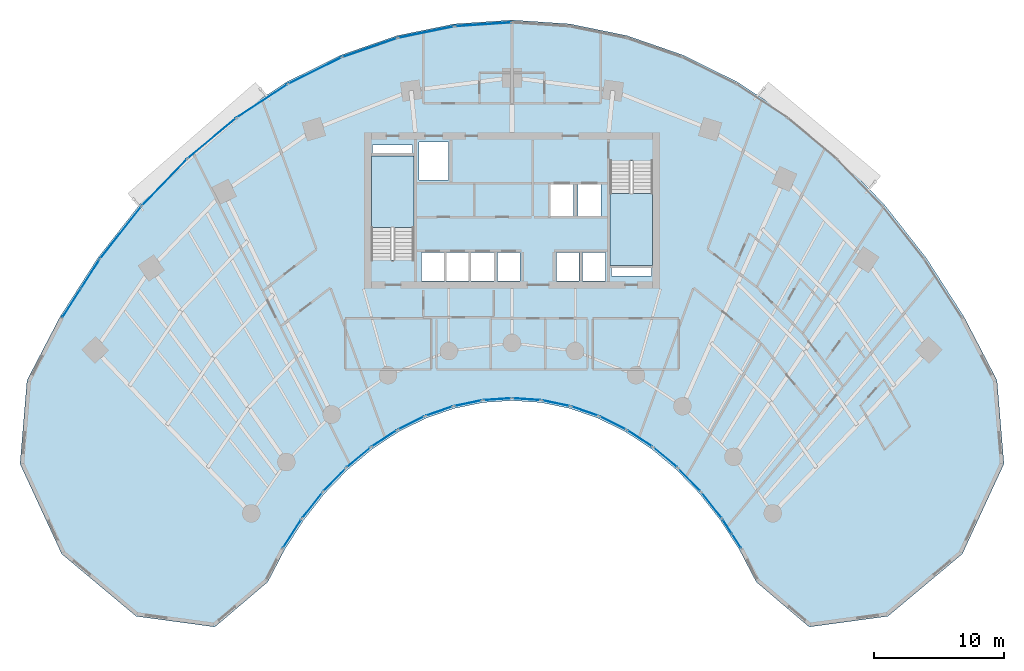
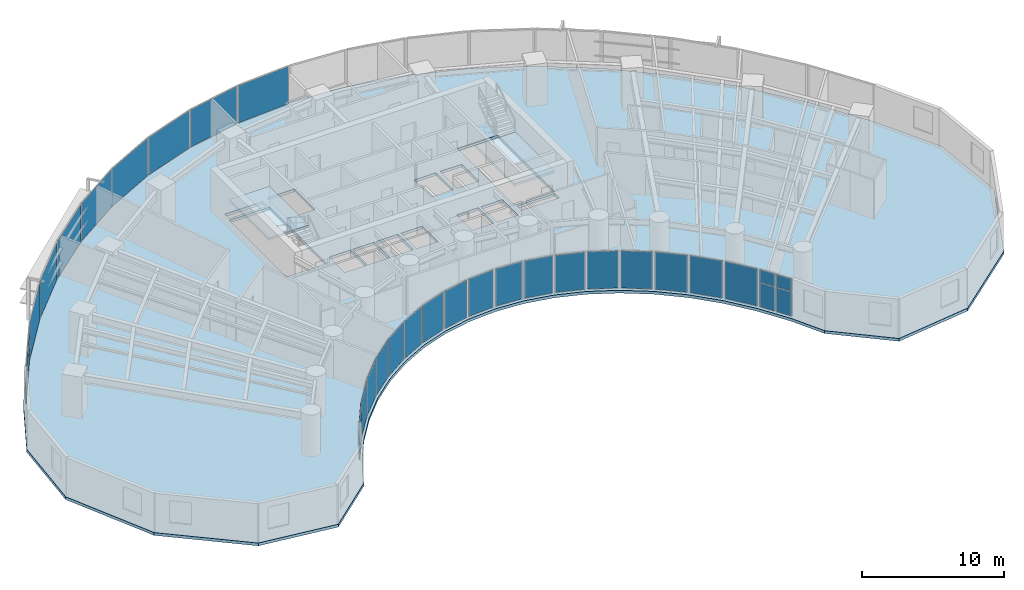
# One storey, part 9 of 17: 33 plates, 3 slabs, 29 elements without a shape of their own.
"""IFC4 building model written with IfcOpenShell, lengths in metres."""

import ifcopenshell
import ifcopenshell.guid

model = None  # the IFC model being written
_history = None  # IfcOwnerHistory: only IFC2X3 demands one
_inside = {}  # id of a spatial element -> (the spatial element, [elements in it])
_under = {}  # id of a project, library or spatial element -> (it, [spatial elements below it])
_declared = {}  # id of a project -> (the project, [libraries it declares])
_typed = {}  # id of a type object -> (the type object, [elements of that type])
_made_of = {}  # id of a material, layer set ... -> (it, [elements and type objects made of it])


def new_model(schema):
    """Start an empty IFC model of exactly this schema.

    Asked for "IFC4X3", IfcOpenShell would pick the latest addendum, in which some entities
    have other attributes; the version numbers below select the first issue.
    IFC2X3 requires an IfcOwnerHistory on every rooted entity: one is made here for all.
    """
    global model, _history
    if schema == "IFC4X3":
        model = ifcopenshell.file(schema_version=(4, 3, 0, 0))
    else:
        model = ifcopenshell.file(schema=schema)
    _inside.clear()
    _under.clear()
    _declared.clear()
    _typed.clear()
    _made_of.clear()
    _history = None
    if model.schema == "IFC2X3":
        org = make("IfcOrganization", Name="unknown")
        user = make(
            "IfcPersonAndOrganization",
            ThePerson=make("IfcPerson", FamilyName="unknown"),
            TheOrganization=org,
        )
        app = make(
            "IfcApplication",
            ApplicationDeveloper=org,
            Version="unknown",
            ApplicationFullName="unknown",
            ApplicationIdentifier="unknown",
        )
        _history = make(
            "IfcOwnerHistory",
            OwningUser=user,
            OwningApplication=app,
            ChangeAction="ADDED",
            CreationDate=0,
        )
    return model


def make(cls, **values):
    """One entity of the class cls with the attributes given. An attribute that is None is left unset."""
    return model.create_entity(
        cls, **{name: value for name, value in values.items() if value is not None}
    )


def rooted(cls, **values):
    """An entity with a GlobalId (a new one), such as an element, a storey or a relation."""
    return make(cls, GlobalId=ifcopenshell.guid.new(), OwnerHistory=_history, **values)


def si_unit(unit_type, name, prefix=None):
    """IfcSIUnit, for example si_unit("LENGTHUNIT", "METRE", prefix="MILLI")."""
    return make("IfcSIUnit", UnitType=unit_type, Prefix=prefix, Name=name)


def assignment(units):
    """IfcUnitAssignment: the units of a project."""
    return None if units is None else make("IfcUnitAssignment", Units=units)


def point(xyz):
    """IfcCartesianPoint."""
    return None if xyz is None else make("IfcCartesianPoint", Coordinates=xyz)


def direction(xyz):
    """IfcDirection."""
    return None if xyz is None else make("IfcDirection", DirectionRatios=xyz)


def frame(location, z_axis=None, x_axis=None):
    """IfcAxis2Placement3D, a coordinate frame: its origin and axes. An axis left out is left unset."""
    return make(
        "IfcAxis2Placement3D",
        Location=point(location),
        Axis=direction(z_axis),
        RefDirection=direction(x_axis),
    )


def frame_2d(location, x_axis=None):
    """IfcAxis2Placement2D, a coordinate frame in the plane: its origin and x axis."""
    return make(
        "IfcAxis2Placement2D", Location=point(location), RefDirection=direction(x_axis)
    )


def origin():
    """The frame at (0, 0, 0) with its axes left unset."""
    return frame((0.0, 0.0, 0.0))


def origin_2d():
    """The frame at (0, 0) in the plane with its x axis left unset."""
    return frame_2d((0.0, 0.0))


def place(relative_to, where):
    """IfcLocalPlacement: puts the frame where relative to a parent placement (None: the world)."""
    return make(
        "IfcLocalPlacement", PlacementRelTo=relative_to, RelativePlacement=where
    )


def context(
    kind, dimensions, precision=None, world=None, true_north=None, identifier=None
):
    """IfcGeometricRepresentationContext, for example the 3D "Model" context."""
    return make(
        "IfcGeometricRepresentationContext",
        ContextIdentifier=identifier,
        ContextType=kind,
        CoordinateSpaceDimension=dimensions,
        Precision=precision,
        WorldCoordinateSystem=world,
        TrueNorth=true_north,
    )


def subcontext(parent, identifier, kind, view, scale=None):
    """IfcGeometricRepresentationSubContext, for example "Body" below "Model"."""
    return make(
        "IfcGeometricRepresentationSubContext",
        ContextIdentifier=identifier,
        ContextType=kind,
        ParentContext=parent,
        TargetScale=scale,
        TargetView=view,
    )


def project(units=None, contexts=None):
    """IfcProject with its units and contexts."""
    return rooted(
        "IfcProject",
        Name="project",
        RepresentationContexts=contexts,
        UnitsInContext=assignment(units),
    )


def spatial(cls, under=None, at=None, **own):
    """A site, building, storey or space (cls), placed at a placement, below another one or the project."""
    s = rooted(cls, ObjectPlacement=at, **own)
    if under is not None:
        _under.setdefault(under.id(), (under, []))[1].append(s)
    return s


def polyline(points):
    """IfcPolyline through the points."""
    return make("IfcPolyline", Points=[point(p) for p in points])


def profile(cls, at=None, kind="AREA", **sizes):
    """A parametric profile (cls). Its sizes go by their IFC names, for example OverallWidth=200.0."""
    return make(cls, ProfileType=kind, Position=at, **sizes)


def rectangle(**sizes):
    """IfcRectangleProfileDef."""
    return profile("IfcRectangleProfileDef", **sizes)


def outline(outer, holes=None, kind="AREA"):
    """IfcArbitraryClosedProfileDef: a profile drawn as a closed curve; with holes, ...WithVoids."""
    if holes is None:
        return make("IfcArbitraryClosedProfileDef", ProfileType=kind, OuterCurve=outer)
    return make(
        "IfcArbitraryProfileDefWithVoids",
        ProfileType=kind,
        OuterCurve=outer,
        InnerCurves=holes,
    )


def extrude(swept, where, along, depth):
    """IfcExtrudedAreaSolid: the profile swept, set in the frame where, extruded along a direction by depth."""
    return make(
        "IfcExtrudedAreaSolid",
        SweptArea=swept,
        Position=where,
        ExtrudedDirection=direction(along),
        Depth=depth,
    )


def shape(context_of_items, identifier, shape_type, items):
    """IfcShapeRepresentation: the items that make up one representation, for example the "Body"."""
    return make(
        "IfcShapeRepresentation",
        ContextOfItems=context_of_items,
        RepresentationIdentifier=identifier,
        RepresentationType=shape_type,
        Items=items,
    )


def source(mapping_origin, context_of_items, identifier, shape_type, items):
    """IfcRepresentationMap: a shape defined once, which mapped items show again and again."""
    return make(
        "IfcRepresentationMap",
        MappingOrigin=mapping_origin,
        MappedRepresentation=shape(context_of_items, identifier, shape_type, items),
    )


def transform(
    local_origin,
    x_axis=None,
    y_axis=None,
    z_axis=None,
    scale=None,
    scale2=None,
    scale3=None,
    uniform=True,
):
    """IfcCartesianTransformationOperator3D, or its non-uniform kind. x_axis, y_axis, z_axis: its Axis1, 2, 3."""
    if uniform:
        return make(
            "IfcCartesianTransformationOperator3D",
            Axis1=direction(x_axis),
            Axis2=direction(y_axis),
            LocalOrigin=point(local_origin),
            Scale=scale,
            Axis3=direction(z_axis),
        )
    return make(
        "IfcCartesianTransformationOperator3DnonUniform",
        Axis1=direction(x_axis),
        Axis2=direction(y_axis),
        LocalOrigin=point(local_origin),
        Scale=scale,
        Axis3=direction(z_axis),
        Scale2=scale2,
        Scale3=scale3,
    )


def mapped(mapping_source, mapping_target):
    """IfcMappedItem: shows the shape of a source again, moved by a transform."""
    return make(
        "IfcMappedItem", MappingSource=mapping_source, MappingTarget=mapping_target
    )


def material(Name=None, Category=None):
    """IfcMaterial."""
    return make("IfcMaterial", Name=Name, Category=Category)


def layer(
    of_material, thickness, ventilated=None, Name=None, Category=None, Priority=None
):
    """IfcMaterialLayer: one layer of a wall or slab, of a material (None: an air gap)."""
    return make(
        "IfcMaterialLayer",
        Material=of_material,
        LayerThickness=thickness,
        IsVentilated=ventilated,
        Name=Name,
        Category=Category,
        Priority=Priority,
    )


def layer_set(layers, Name=None):
    """IfcMaterialLayerSet."""
    return make("IfcMaterialLayerSet", MaterialLayers=layers, LayerSetName=Name)


def made_of(thing, what):
    """Note that an element or type object is made of a material, layer set ...; save() writes the relation."""
    if what is not None:
        _made_of.setdefault(what.id(), (what, []))[1].append(thing)
    return thing


def type_object(cls, material=None, **own):
    """A type object (cls), such as IfcWallType, which elements share."""
    return made_of(rooted(cls, **own), material)


def type_shapes(of_type, sources):
    """Give a type object the sources (RepresentationMaps) that its elements show as mapped items."""
    of_type.RepresentationMaps = sources


def element(
    cls,
    number,
    at=None,
    inside=None,
    cuts=None,
    type_object=None,
    material=None,
    context=None,
    identifier="Body",
    shape_type=None,
    held_by="IfcProductDefinitionShape",
    body=None,
    shapes=None,
    **own,
):
    """One element of the class cls, such as IfcWall. Its Tag is "e" and its number.

    at: its placement. inside: the storey or other place that contains it. cuts: it is an
    opening in that element (IfcRelVoidsElement). A single representation is given by context,
    identifier, shape_type and body (its items); several are given by shapes. held_by: the class
    of the entity that holds the representations. save() writes the other relations.
    """
    e = rooted(cls, Tag="e%d" % number, ObjectPlacement=at, **own)
    if body is not None:
        shapes = [shape(context, identifier, shape_type, body)]
    if shapes is not None:
        e.Representation = make(held_by, Representations=shapes)
    if inside is not None:
        _inside.setdefault(inside.id(), (inside, []))[1].append(e)
    if cuts is not None:
        rooted(
            "IfcRelVoidsElement", RelatingBuildingElement=cuts, RelatedOpeningElement=e
        )
    if type_object is not None:
        _typed.setdefault(type_object.id(), (type_object, []))[1].append(e)
    return made_of(e, material)


def aggregate(whole, parts):
    """IfcRelAggregates: a whole, such as a stair, and the parts it consists of."""
    return rooted("IfcRelAggregates", RelatingObject=whole, RelatedObjects=parts)


def save(model, path):
    """Write the relations noted so far, then the file.

    IfcRelAggregates (storeys below a building ...), IfcRelContainedInSpatialStructure (elements
    in a storey), IfcRelDefinesByType, IfcRelAssociatesMaterial and IfcRelDeclares: one each for
    every whole, place, type object, material and project.
    """
    for whole, parts in _under.values():
        aggregate(whole, parts)
    for where, things in _inside.values():
        rooted(
            "IfcRelContainedInSpatialStructure",
            RelatedElements=things,
            RelatingStructure=where,
        )
    for kind, things in _typed.values():
        rooted("IfcRelDefinesByType", RelatedObjects=things, RelatingType=kind)
    for what, things in _made_of.values():
        rooted("IfcRelAssociatesMaterial", RelatedObjects=things, RelatingMaterial=what)
    for by, libraries in _declared.values():
        rooted("IfcRelDeclares", RelatingContext=by, RelatedDefinitions=libraries)
    model.write(path)


model = new_model("IFC4")

# Units and contexts
model_context = context("Model", 3, precision=1e-05, world=origin(), true_north=direction((0.0, 1.0)))
body_context = subcontext(model_context, "Body", "Model", "MODEL_VIEW")
ifc_project = project(units=[si_unit("LENGTHUNIT", "METRE"), si_unit("AREAUNIT", "SQUARE_METRE"), si_unit("VOLUMEUNIT", "CUBIC_METRE"), si_unit("PLANEANGLEUNIT", "RADIAN"), si_unit("MASSUNIT", "GRAM", prefix="KILO")], contexts=[model_context])

# Site, building, storey
site_placement = place(None, origin())
site = spatial("IfcSite", under=ifc_project, at=site_placement, CompositionType="ELEMENT")
building_placement = place(site_placement, origin())
building = spatial("IfcBuilding", under=site, at=building_placement, Name="Breltana Convention Tower", CompositionType="ELEMENT")
storey_placement = place(building_placement, frame((0.0, 0.0, 60.60009765625)))
storey = spatial("IfcBuildingStorey", under=building, at=storey_placement, Name="L13", CompositionType="ELEMENT", Elevation=60.60009765625)

# Slab
ifc_material_1 = material(Name="Concrete C40/50", Category="concrete")
ifc_layer_1 = layer(ifc_material_1, 0.239990234375, Name="Concrete C40/50")
ifc_layer_set_1 = layer_set([ifc_layer_1], Name="Concrete C40/50")
slab_type_1 = type_object("IfcSlabType", Name="SL-HTL-240", PredefinedType="FLOOR", material=ifc_layer_set_1)
slab_1_placement = place(storey_placement, frame((0.0, 0.0, -0.239990234375)))
element("IfcSlab", 1, at=slab_1_placement, inside=storey, type_object=slab_type_1, Name="L13 Suspended Structural Floor Slab", PredefinedType="FLOOR", context=body_context, shape_type="SweptSolid", body=[
    extrude(outline(polyline([(85.229248046875, 53.173095703125), (82.687744140625, 58.054931640625), (79.791015625, 62.567626953125), (76.569091796875, 66.664794921875), (73.05419921875, 70.304931640625), (69.283203125, 73.450439453125), (65.2939453125, 76.069091796875), (61.1279296875, 78.134033203125), (56.827392578125, 79.62451171875), (52.436279296875, 80.52490234375), (48.0, 80.825927734375), (43.563720703125, 80.52490234375), (39.172607421875, 79.62451171875), (34.8720703125, 78.134033203125), (30.7060546875, 76.069091796875), (26.716796875, 73.450439453125), (22.94580078125, 70.304931640625), (19.430908203125, 66.664794921875), (16.208984375, 62.567626953125), (13.312255859375, 58.054931640625), (10.770751953125, 53.173095703125), (10.234619140625, 46.75927734375), (13.433837890625, 39.8388671875), (19.14697265625, 35.055419921875), (25.191162109375, 34.235595703125), (29.258056640625, 37.693115234375), (30.53759765625, 40.150634765625), (31.995849609375, 42.42236328125), (33.617919921875, 44.485107421875), (35.38720703125, 46.3173828125), (37.28564453125, 47.90087890625), (39.2939453125, 49.21923828125), (41.39111328125, 50.2587890625), (43.55615234375, 51.009033203125), (45.7666015625, 51.46240234375), (48.0, 51.614013671875), (50.2333984375, 51.46240234375), (52.44384765625, 51.009033203125), (54.60888671875, 50.2587890625), (56.7060546875, 49.21923828125), (58.71435546875, 47.90087890625), (60.61279296875, 46.3173828125), (62.382080078125, 44.485107421875), (64.004150390625, 42.42236328125), (65.46240234375, 40.150634765625), (66.741943359375, 37.693115234375), (70.808837890625, 34.235595703125), (76.85302734375, 35.055419921875), (82.566162109375, 39.8388671875), (85.765380859375, 46.75927734375), (85.229248046875, 53.173095703125)]), holes=[polyline([(37.199951171875, 62.385009765625), (40.469970703125, 62.385009765625), (40.469970703125, 70.39990234375), (37.199951171875, 70.39990234375), (37.199951171875, 62.385009765625)]), polyline([(55.530029296875, 62.0), (58.800048828125, 62.0), (58.800048828125, 70.014892578125), (55.530029296875, 70.014892578125), (55.530029296875, 62.0)]), polyline([(41.0400390625, 60.800048828125), (42.800048828125, 60.800048828125), (42.800048828125, 62.97998046875), (41.0400390625, 62.97998046875), (41.0400390625, 60.800048828125)]), polyline([(42.93994140625, 60.800048828125), (44.699951171875, 60.800048828125), (44.699951171875, 62.97998046875), (42.93994140625, 62.97998046875), (42.93994140625, 60.800048828125)]), polyline([(44.8701171875, 60.800048828125), (46.6298828125, 60.800048828125), (46.6298828125, 62.97998046875), (44.8701171875, 62.97998046875), (44.8701171875, 60.800048828125)]), polyline([(46.8701171875, 60.800048828125), (48.6298828125, 60.800048828125), (48.6298828125, 62.97998046875), (46.8701171875, 62.97998046875), (46.8701171875, 60.800048828125)]), polyline([(51.39990234375, 60.800048828125), (53.159912109375, 60.800048828125), (53.159912109375, 62.97998046875), (51.39990234375, 62.97998046875), (51.39990234375, 60.800048828125)]), polyline([(53.39990234375, 60.800048828125), (55.159912109375, 60.800048828125), (55.159912109375, 62.97998046875), (53.39990234375, 62.97998046875), (53.39990234375, 60.800048828125)]), polyline([(50.969970703125, 65.800048828125), (52.72998046875, 65.800048828125), (52.72998046875, 68.179931640625), (50.969970703125, 68.179931640625), (50.969970703125, 65.800048828125)]), polyline([(53.070068359375, 65.800048828125), (54.830078125, 65.800048828125), (54.830078125, 68.179931640625), (53.070068359375, 68.179931640625), (53.070068359375, 65.800048828125)]), polyline([(40.8798828125, 68.550048828125), (43.1201171875, 68.550048828125), (43.1201171875, 71.449951171875), (40.8798828125, 71.449951171875), (40.8798828125, 68.550048828125)]), polyline([(37.300048828125, 70.60009765625), (40.3798828125, 70.60009765625), (40.3798828125, 71.219970703125), (37.300048828125, 71.219970703125), (37.300048828125, 70.60009765625)]), polyline([(55.6201171875, 61.179931640625), (58.699951171875, 61.179931640625), (58.699951171875, 61.800048828125), (55.6201171875, 61.800048828125), (55.6201171875, 61.179931640625)])]), origin(), (0.0, 0.0, 1.0), 0.239990234375),
])

# Stair, slab
stair_type = type_object("IfcStairType", Name="ST-DOG-1560-R180", PredefinedType="HALF_TURN_STAIR", material=ifc_material_1)
stair_1_placement = place(storey_placement, origin())
stair_1 = element("IfcStair", 2, at=stair_1_placement, inside=storey, type_object=stair_type, Name="L13 Protected Core Exit Stair ST-1", PredefinedType="HALF_TURN_STAIR")
ifc_layer_2 = layer(ifc_material_1, 0.199951171875, Name="Concrete C40/50")
ifc_layer_set_2 = layer_set([ifc_layer_2], Name="Concrete C40/50")
slab_type_2 = type_object("IfcSlabType", Name="SL-STAIR-LANDING-200", PredefinedType="LANDING", material=ifc_layer_set_2)
slab_2_placement = place(storey_placement, frame((0.0, 0.0, 1.599853515625)))
slab_2 = element("IfcSlab", 3, at=slab_2_placement, type_object=slab_type_2, Name="ST-1 landing 1", PredefinedType="LANDING", context=body_context, shape_type="SweptSolid", body=[
    extrude(outline(polyline([(40.469970703125, 64.8798828125), (40.469970703125, 70.39990234375), (37.199951171875, 70.39990234375), (37.199951171875, 64.8798828125), (40.469970703125, 64.8798828125)])), origin(), (0.0, 0.0, 1.0), 0.199951171875),
])
aggregate(stair_1, [slab_2])

stair_2_placement = place(storey_placement, origin())
stair_2 = element("IfcStair", 4, at=stair_2_placement, inside=storey, type_object=stair_type, Name="L13 Protected Core Exit Stair ST-2", PredefinedType="HALF_TURN_STAIR")
slab_3_placement = place(storey_placement, frame((0.0, 0.0, 1.599853515625)))
slab_3 = element("IfcSlab", 5, at=slab_3_placement, type_object=slab_type_2, Name="ST-2 landing 1", PredefinedType="LANDING", context=body_context, shape_type="SweptSolid", body=[
    extrude(outline(polyline([(55.530029296875, 67.52001953125), (55.530029296875, 62.0), (58.800048828125, 62.0), (58.800048828125, 67.52001953125), (55.530029296875, 67.52001953125)])), origin(), (0.0, 0.0, 1.0), 0.199951171875),
])
aggregate(stair_2, [slab_3])

# Curtain wall, plates
ifc_material_2 = material(Name="Aluminium Anodised Bronze Frame", Category="aluminium")
ifc_layer_3 = layer(ifc_material_2, 0.18994140625, Name="Aluminium Anodised Bronze Frame")
ifc_layer_set_3 = layer_set([ifc_layer_3], Name="Aluminium Anodised Bronze Frame")
curtain_wall_type_1 = type_object("IfcCurtainWallType", Name="CW-SYS-1", PredefinedType="NOTDEFINED", material=ifc_layer_set_3)
curtain_wall_1_placement = place(storey_placement, origin())
curtain_wall_1 = element("IfcCurtainWall", 6, at=curtain_wall_1_placement, inside=storey, type_object=curtain_wall_type_1, Name="L13 inner south-court glazing 1", PredefinedType="NOTDEFINED")
ifc_material_3 = material(Name="Glass Low-E Double Glazing", Category="glass")
ifc_layer_4 = layer(ifc_material_3, 0.028076171875, Name="Glass Low-E Double Glazing")
ifc_layer_set_4 = layer_set([ifc_layer_4], Name="Glass Low-E Double Glazing")
plate_type_1 = type_object("IfcPlateType", Name="CWP-IGU-28", PredefinedType="CURTAIN_PANEL", material=ifc_layer_set_4)
shared_shape_1 = source(origin(), body_context, "Body", "SweptSolid", [
    extrude(rectangle(XDim=1.229736328125, YDim=0.028076171875, at=origin_2d()), origin(), (0.0, 0.0, 1.0), 2.06396484375),
])
plate_1_placement = place(storey_placement, frame((65.238525390625, 40.83251953125, 0.079833984375), z_axis=(0.0, 0.0, 1.0), x_axis=(-0.540169576197, 0.841556194767, 0.0)))
plate_1 = element("IfcPlate", 7, at=plate_1_placement, type_object=plate_type_1, Name="CW-01 panel 1.1", PredefinedType="CURTAIN_PANEL", context=body_context, shape_type="MappedRepresentation", body=[
    mapped(shared_shape_1, transform((0.0, 0.0, 0.0), scale=1.0)),
])
plate_2_placement = place(storey_placement, frame((64.531005859375, 41.934814453125, 0.079833984375), z_axis=(0.0, 0.0, 1.0), x_axis=(-0.540169576197, 0.841556194767, 0.0)))
plate_2 = element("IfcPlate", 8, at=plate_2_placement, type_object=plate_type_1, Name="CW-01 panel 2.1", PredefinedType="CURTAIN_PANEL", context=body_context, shape_type="MappedRepresentation", body=[
    mapped(shared_shape_1, transform((0.0, 0.0, 0.0), scale=1.0)),
])
shared_shape_2 = source(origin(), body_context, "Body", "SweptSolid", [
    extrude(rectangle(XDim=1.229736328125, YDim=0.028076171875, at=origin_2d()), origin(), (0.0, 0.0, 1.0), 1.055908203125),
])
plate_3_placement = place(storey_placement, frame((65.238525390625, 40.83251953125, 2.22412109375), z_axis=(0.0, 0.0, 1.0), x_axis=(-0.540169576197, 0.841556194767, 0.0)))
plate_3 = element("IfcPlate", 9, at=plate_3_placement, type_object=plate_type_1, Name="CW-01 panel 1.2", PredefinedType="CURTAIN_PANEL", context=body_context, shape_type="MappedRepresentation", body=[
    mapped(shared_shape_2, transform((0.0, 0.0, 0.0), scale=1.0)),
])
plate_4_placement = place(storey_placement, frame((64.531005859375, 41.934814453125, 2.22412109375), z_axis=(0.0, 0.0, 1.0), x_axis=(-0.540169576197, 0.841556194767, 0.0)))
plate_4 = element("IfcPlate", 10, at=plate_4_placement, type_object=plate_type_1, Name="CW-01 panel 2.2", PredefinedType="CURTAIN_PANEL", context=body_context, shape_type="MappedRepresentation", body=[
    mapped(shared_shape_2, transform((0.0, 0.0, 0.0), scale=1.0)),
])
aggregate(curtain_wall_1, [plate_1, plate_3, plate_2, plate_4])

# Curtain wall, plate
curtain_wall_2_placement = place(storey_placement, origin())
curtain_wall_2 = element("IfcCurtainWall", 11, at=curtain_wall_2_placement, inside=storey, type_object=curtain_wall_type_1, Name="L13 inner south-court glazing 2", PredefinedType="NOTDEFINED")
shared_shape_3 = source(origin(), body_context, "Body", "SweptSolid", [
    extrude(rectangle(XDim=2.464111328125, YDim=0.028076171875, at=origin_2d()), origin(), (0.0, 0.0, 1.0), 3.199951171875),
])
plate_5_placement = place(storey_placement, frame((63.334716796875, 43.56494140625, 0.080078125), z_axis=(0.0, 0.0, 1.0), x_axis=(-0.61815305034, 0.786057762734, 0.0)))
plate_5 = element("IfcPlate", 12, at=plate_5_placement, type_object=plate_type_1, Name="CW-01 panel 1.1", PredefinedType="CURTAIN_PANEL", context=body_context, shape_type="MappedRepresentation", body=[
    mapped(shared_shape_3, transform((0.0, 0.0, 0.0), scale=1.0)),
])
aggregate(curtain_wall_2, [plate_5])

curtain_wall_3_placement = place(storey_placement, origin())
curtain_wall_3 = element("IfcCurtainWall", 13, at=curtain_wall_3_placement, inside=storey, type_object=curtain_wall_type_1, Name="L13 inner south-court glazing 17", PredefinedType="NOTDEFINED")
plate_6_placement = place(storey_placement, frame((32.665283203125, 43.56494140625, 0.080078125), z_axis=(0.0, 0.0, 1.0), x_axis=(-0.61815305034, -0.786057762734, 0.0)))
plate_6 = element("IfcPlate", 14, at=plate_6_placement, type_object=plate_type_1, Name="CW-01 panel 1.1", PredefinedType="CURTAIN_PANEL", context=body_context, shape_type="MappedRepresentation", body=[
    mapped(shared_shape_3, transform((0.0, 0.0, 0.0), scale=1.0)),
])
aggregate(curtain_wall_3, [plate_6])

curtain_wall_4_placement = place(storey_placement, origin())
curtain_wall_4 = element("IfcCurtainWall", 15, at=curtain_wall_4_placement, inside=storey, type_object=curtain_wall_type_1, Name="L13 inner south-court glazing 3", PredefinedType="NOTDEFINED")
shared_shape_4 = source(origin(), body_context, "Body", "SweptSolid", [
    extrude(rectangle(XDim=2.38720703125, YDim=0.028076171875, at=origin_2d()), origin(), (0.0, 0.0, 1.0), 3.199951171875),
])
plate_7_placement = place(storey_placement, frame((61.626953125, 45.5263671875, 0.080078125), z_axis=(0.0, 0.0, 1.0), x_axis=(-0.694612029111, 0.719384548773, 0.0)))
plate_7 = element("IfcPlate", 16, at=plate_7_placement, type_object=plate_type_1, Name="CW-01 panel 1.1", PredefinedType="CURTAIN_PANEL", context=body_context, shape_type="MappedRepresentation", body=[
    mapped(shared_shape_4, transform((0.0, 0.0, 0.0), scale=1.0)),
])
aggregate(curtain_wall_4, [plate_7])

curtain_wall_5_placement = place(storey_placement, origin())
curtain_wall_5 = element("IfcCurtainWall", 17, at=curtain_wall_5_placement, inside=storey, type_object=curtain_wall_type_1, Name="L13 inner south-court glazing 16", PredefinedType="NOTDEFINED")
plate_8_placement = place(storey_placement, frame((34.373046875, 45.5263671875, 0.080078125), z_axis=(0.0, 0.0, 1.0), x_axis=(-0.694612029111, -0.719384548773, 0.0)))
plate_8 = element("IfcPlate", 18, at=plate_8_placement, type_object=plate_type_1, Name="CW-01 panel 1.1", PredefinedType="CURTAIN_PANEL", context=body_context, shape_type="MappedRepresentation", body=[
    mapped(shared_shape_4, transform((0.0, 0.0, 0.0), scale=1.0)),
])
aggregate(curtain_wall_5, [plate_8])

curtain_wall_6_placement = place(storey_placement, origin())
curtain_wall_6 = element("IfcCurtainWall", 19, at=curtain_wall_6_placement, inside=storey, type_object=curtain_wall_type_1, Name="L13 inner south-court glazing 4", PredefinedType="NOTDEFINED")
shared_shape_5 = source(origin(), body_context, "Body", "SweptSolid", [
    extrude(rectangle(XDim=2.312255859375, YDim=0.028076171875, at=origin_2d()), origin(), (0.0, 0.0, 1.0), 3.199951171875),
])
plate_9_placement = place(storey_placement, frame((59.77880859375, 47.24755859375, 0.080078125), z_axis=(0.0, 0.0, 1.0), x_axis=(-0.767939382804, 0.640522524458, 0.0)))
plate_9 = element("IfcPlate", 20, at=plate_9_placement, type_object=plate_type_1, Name="CW-01 panel 1.1", PredefinedType="CURTAIN_PANEL", context=body_context, shape_type="MappedRepresentation", body=[
    mapped(shared_shape_5, transform((0.0, 0.0, 0.0), scale=1.0)),
])
aggregate(curtain_wall_6, [plate_9])

curtain_wall_7_placement = place(storey_placement, origin())
curtain_wall_7 = element("IfcCurtainWall", 21, at=curtain_wall_7_placement, inside=storey, type_object=curtain_wall_type_1, Name="L13 inner south-court glazing 15", PredefinedType="NOTDEFINED")
plate_10_placement = place(storey_placement, frame((36.22119140625, 47.24755859375, 0.080078125), z_axis=(0.0, 0.0, 1.0), x_axis=(-0.767939382804, -0.640522524458, 0.0)))
plate_10 = element("IfcPlate", 22, at=plate_10_placement, type_object=plate_type_1, Name="CW-01 panel 1.1", PredefinedType="CURTAIN_PANEL", context=body_context, shape_type="MappedRepresentation", body=[
    mapped(shared_shape_5, transform((0.0, 0.0, 0.0), scale=1.0)),
])
aggregate(curtain_wall_7, [plate_10])

curtain_wall_8_placement = place(storey_placement, origin())
curtain_wall_8 = element("IfcCurtainWall", 23, at=curtain_wall_8_placement, inside=storey, type_object=curtain_wall_type_1, Name="L13 inner south-court glazing 5", PredefinedType="NOTDEFINED")
shared_shape_6 = source(origin(), body_context, "Body", "SweptSolid", [
    extrude(rectangle(XDim=2.2421875, YDim=0.028076171875, at=origin_2d()), origin(), (0.0, 0.0, 1.0), 3.199951171875),
])
plate_11_placement = place(storey_placement, frame((57.80908203125, 48.710693359375, 0.080078125), z_axis=(0.0, 0.0, 1.0), x_axis=(-0.835967942634, 0.548778278441, 0.0)))
plate_11 = element("IfcPlate", 24, at=plate_11_placement, type_object=plate_type_1, Name="CW-01 panel 1.1", PredefinedType="CURTAIN_PANEL", context=body_context, shape_type="MappedRepresentation", body=[
    mapped(shared_shape_6, transform((0.0, 0.0, 0.0), scale=1.0)),
])
aggregate(curtain_wall_8, [plate_11])

curtain_wall_9_placement = place(storey_placement, origin())
curtain_wall_9 = element("IfcCurtainWall", 25, at=curtain_wall_9_placement, inside=storey, type_object=curtain_wall_type_1, Name="L13 inner south-court glazing 14", PredefinedType="NOTDEFINED")
plate_12_placement = place(storey_placement, frame((38.19091796875, 48.710693359375, 0.080078125), z_axis=(0.0, 0.0, 1.0), x_axis=(-0.835967942634, -0.548778278441, 0.0)))
plate_12 = element("IfcPlate", 26, at=plate_12_placement, type_object=plate_type_1, Name="CW-01 panel 1.1", PredefinedType="CURTAIN_PANEL", context=body_context, shape_type="MappedRepresentation", body=[
    mapped(shared_shape_6, transform((0.0, 0.0, 0.0), scale=1.0)),
])
aggregate(curtain_wall_9, [plate_12])

curtain_wall_10_placement = place(storey_placement, origin())
curtain_wall_10 = element("IfcCurtainWall", 27, at=curtain_wall_10_placement, inside=storey, type_object=curtain_wall_type_1, Name="L13 inner south-court glazing 6", PredefinedType="NOTDEFINED")
shared_shape_7 = source(origin(), body_context, "Body", "SweptSolid", [
    extrude(rectangle(XDim=2.180908203125, YDim=0.028076171875, at=origin_2d()), origin(), (0.0, 0.0, 1.0), 3.199951171875),
])
plate_13_placement = place(storey_placement, frame((55.7373046875, 49.900390625, 0.080078125), z_axis=(0.0, 0.0, 1.0), x_axis=(-0.895968310315, 0.444117987602, 0.0)))
plate_13 = element("IfcPlate", 28, at=plate_13_placement, type_object=plate_type_1, Name="CW-01 panel 1.1", PredefinedType="CURTAIN_PANEL", context=body_context, shape_type="MappedRepresentation", body=[
    mapped(shared_shape_7, transform((0.0, 0.0, 0.0), scale=1.0)),
])
aggregate(curtain_wall_10, [plate_13])

curtain_wall_11_placement = place(storey_placement, origin())
curtain_wall_11 = element("IfcCurtainWall", 29, at=curtain_wall_11_placement, inside=storey, type_object=curtain_wall_type_1, Name="L13 inner south-court glazing 13", PredefinedType="NOTDEFINED")
plate_14_placement = place(storey_placement, frame((40.2626953125, 49.900390625, 0.080078125), z_axis=(0.0, 0.0, 1.0), x_axis=(-0.895968310315, -0.444117987602, 0.0)))
plate_14 = element("IfcPlate", 30, at=plate_14_placement, type_object=plate_type_1, Name="CW-01 panel 1.1", PredefinedType="CURTAIN_PANEL", context=body_context, shape_type="MappedRepresentation", body=[
    mapped(shared_shape_7, transform((0.0, 0.0, 0.0), scale=1.0)),
])
aggregate(curtain_wall_11, [plate_14])

curtain_wall_12_placement = place(storey_placement, origin())
curtain_wall_12 = element("IfcCurtainWall", 31, at=curtain_wall_12_placement, inside=storey, type_object=curtain_wall_type_1, Name="L13 inner south-court glazing 7", PredefinedType="NOTDEFINED")
shared_shape_8 = source(origin(), body_context, "Body", "SweptSolid", [
    extrude(rectangle(XDim=2.13134765625, YDim=0.028076171875, at=origin_2d()), origin(), (0.0, 0.0, 1.0), 3.199951171875),
])
plate_15_placement = place(storey_placement, frame((53.585205078125, 50.80419921875, 0.080078125), z_axis=(0.0, 0.0, 1.0), x_axis=(-0.944881211406, 0.327413341714, 0.0)))
plate_15 = element("IfcPlate", 32, at=plate_15_placement, type_object=plate_type_1, Name="CW-01 panel 1.1", PredefinedType="CURTAIN_PANEL", context=body_context, shape_type="MappedRepresentation", body=[
    mapped(shared_shape_8, transform((0.0, 0.0, 0.0), scale=1.0)),
])
aggregate(curtain_wall_12, [plate_15])

curtain_wall_13_placement = place(storey_placement, origin())
curtain_wall_13 = element("IfcCurtainWall", 33, at=curtain_wall_13_placement, inside=storey, type_object=curtain_wall_type_1, Name="L13 inner south-court glazing 12", PredefinedType="NOTDEFINED")
plate_16_placement = place(storey_placement, frame((42.414794921875, 50.80419921875, 0.080078125), z_axis=(0.0, 0.0, 1.0), x_axis=(-0.944881211406, -0.327413341714, 0.0)))
plate_16 = element("IfcPlate", 34, at=plate_16_placement, type_object=plate_type_1, Name="CW-01 panel 1.1", PredefinedType="CURTAIN_PANEL", context=body_context, shape_type="MappedRepresentation", body=[
    mapped(shared_shape_8, transform((0.0, 0.0, 0.0), scale=1.0)),
])
aggregate(curtain_wall_13, [plate_16])

curtain_wall_14_placement = place(storey_placement, origin())
curtain_wall_14 = element("IfcCurtainWall", 35, at=curtain_wall_14_placement, inside=storey, type_object=curtain_wall_type_1, Name="L13 inner south-court glazing 8", PredefinedType="NOTDEFINED")
shared_shape_9 = source(origin(), body_context, "Body", "SweptSolid", [
    extrude(rectangle(XDim=2.096435546875, YDim=0.028076171875, at=origin_2d()), origin(), (0.0, 0.0, 1.0), 3.199951171875),
])
plate_17_placement = place(storey_placement, frame((51.374755859375, 51.412109375, 0.080078125), z_axis=(0.0, 0.0, 1.0), x_axis=(-0.97961455393, 0.200886350278, 0.0)))
plate_17 = element("IfcPlate", 36, at=plate_17_placement, type_object=plate_type_1, Name="CW-01 panel 1.1", PredefinedType="CURTAIN_PANEL", context=body_context, shape_type="MappedRepresentation", body=[
    mapped(shared_shape_9, transform((0.0, 0.0, 0.0), scale=1.0)),
])
aggregate(curtain_wall_14, [plate_17])

curtain_wall_15_placement = place(storey_placement, origin())
curtain_wall_15 = element("IfcCurtainWall", 37, at=curtain_wall_15_placement, inside=storey, type_object=curtain_wall_type_1, Name="L13 inner south-court glazing 11", PredefinedType="NOTDEFINED")
plate_18_placement = place(storey_placement, frame((44.625244140625, 51.412109375, 0.080078125), z_axis=(0.0, 0.0, 1.0), x_axis=(-0.97961455393, -0.200886350278, 0.0)))
plate_18 = element("IfcPlate", 38, at=plate_18_placement, type_object=plate_type_1, Name="CW-01 panel 1.1", PredefinedType="CURTAIN_PANEL", context=body_context, shape_type="MappedRepresentation", body=[
    mapped(shared_shape_9, transform((0.0, 0.0, 0.0), scale=1.0)),
])
aggregate(curtain_wall_15, [plate_18])

curtain_wall_16_placement = place(storey_placement, origin())
curtain_wall_16 = element("IfcCurtainWall", 39, at=curtain_wall_16_placement, inside=storey, type_object=curtain_wall_type_1, Name="L13 inner south-court glazing 9", PredefinedType="NOTDEFINED")
shared_shape_10 = source(origin(), body_context, "Body", "SweptSolid", [
    extrude(rectangle(XDim=2.078369140625, YDim=0.028076171875, at=origin_2d()), origin(), (0.0, 0.0, 1.0), 3.199951171875),
])
plate_19_placement = place(storey_placement, frame((49.12890625, 51.7177734375, 0.080078125), z_axis=(0.0, 0.0, 1.0), x_axis=(-0.997703975371, 0.067725752326, 0.0)))
plate_19 = element("IfcPlate", 40, at=plate_19_placement, type_object=plate_type_1, Name="CW-01 panel 1.1", PredefinedType="CURTAIN_PANEL", context=body_context, shape_type="MappedRepresentation", body=[
    mapped(shared_shape_10, transform((0.0, 0.0, 0.0), scale=1.0)),
])
aggregate(curtain_wall_16, [plate_19])

curtain_wall_17_placement = place(storey_placement, origin())
curtain_wall_17 = element("IfcCurtainWall", 41, at=curtain_wall_17_placement, inside=storey, type_object=curtain_wall_type_1, Name="L13 inner south-court glazing 10", PredefinedType="NOTDEFINED")
plate_20_placement = place(storey_placement, frame((46.87109375, 51.7177734375, 0.080078125), z_axis=(0.0, 0.0, 1.0), x_axis=(-0.997703975371, -0.067725752326, 0.0)))
plate_20 = element("IfcPlate", 42, at=plate_20_placement, type_object=plate_type_1, Name="CW-01 panel 1.1", PredefinedType="CURTAIN_PANEL", context=body_context, shape_type="MappedRepresentation", body=[
    mapped(shared_shape_10, transform((0.0, 0.0, 0.0), scale=1.0)),
])
aggregate(curtain_wall_17, [plate_20])

curtain_wall_18_placement = place(storey_placement, origin())
curtain_wall_18 = element("IfcCurtainWall", 43, at=curtain_wall_18_placement, inside=storey, type_object=curtain_wall_type_1, Name="L13 inner south-court glazing 18", PredefinedType="NOTDEFINED")
shared_shape_11 = source(origin(), body_context, "Body", "SweptSolid", [
    extrude(rectangle(XDim=2.53955078125, YDim=0.028076171875, at=origin_2d()), origin(), (0.0, 0.0, 1.0), 3.199951171875),
])
plate_21_placement = place(storey_placement, frame((31.115234375, 41.3837890625, 0.080078125), z_axis=(0.0, 0.0, 1.0), x_axis=(-0.540169576197, -0.841556194767, 0.0)))
plate_21 = element("IfcPlate", 44, at=plate_21_placement, type_object=plate_type_1, Name="CW-01 panel 1.1", PredefinedType="CURTAIN_PANEL", context=body_context, shape_type="MappedRepresentation", body=[
    mapped(shared_shape_11, transform((0.0, 0.0, 0.0), scale=1.0)),
])
aggregate(curtain_wall_18, [plate_21])

# Curtain wall, plates
ifc_layer_5 = layer(ifc_material_2, 0.199951171875, Name="Aluminium Anodised Bronze Frame")
ifc_layer_set_5 = layer_set([ifc_layer_5], Name="Aluminium Anodised Bronze Frame")
curtain_wall_type_2 = type_object("IfcCurtainWallType", Name="CW-SYS-2", PredefinedType="NOTDEFINED", material=ifc_layer_set_5)
curtain_wall_19_placement = place(storey_placement, origin())
curtain_wall_19 = element("IfcCurtainWall", 45, at=curtain_wall_19_placement, inside=storey, type_object=curtain_wall_type_2, Name="L13 outer double-skin inner glazing 1", PredefinedType="NOTDEFINED")
ifc_layer_6 = layer(ifc_material_3, 0.031982421875, Name="Glass Low-E Double Glazing")
ifc_layer_set_6 = layer_set([ifc_layer_6], Name="Glass Low-E Double Glazing")
plate_type_2 = type_object("IfcPlateType", Name="CWP-IGU-32", PredefinedType="CURTAIN_PANEL", material=ifc_layer_set_6)
shared_shape_12 = source(origin(), body_context, "Body", "SweptSolid", [
    extrude(rectangle(XDim=2.56787109375, YDim=0.031982421875, at=origin_2d()), origin(), (0.0, 0.0, 1.0), 2.0791015625),
])
type_shapes(plate_type_2, [shared_shape_12])
plate_22_placement = place(storey_placement, frame((14.199462890625, 59.103759765625, 0.06982421875), z_axis=(0.0, 0.0, 1.0), x_axis=(0.540180724109, 0.841549039154, 0.0)))
plate_22 = element("IfcPlate", 46, at=plate_22_placement, type_object=plate_type_2, Name="CW-02 panel 1.1", PredefinedType="CURTAIN_PANEL", context=body_context, shape_type="MappedRepresentation", body=[
    mapped(shared_shape_12, transform((0.0, 0.0, 0.0), scale=1.0)),
])
plate_23_placement = place(storey_placement, frame((15.624267578125, 61.32373046875, 0.06982421875), z_axis=(0.0, 0.0, 1.0), x_axis=(0.540180724109, 0.841549039154, 0.0)))
plate_23 = element("IfcPlate", 47, at=plate_23_placement, type_object=plate_type_2, Name="CW-02 panel 2.1", PredefinedType="CURTAIN_PANEL", context=body_context, shape_type="MappedRepresentation", body=[
    mapped(shared_shape_12, transform((0.0, 0.0, 0.0), scale=1.0)),
])
shared_shape_13 = source(origin(), body_context, "Body", "SweptSolid", [
    extrude(rectangle(XDim=2.56787109375, YDim=0.031982421875, at=origin_2d()), origin(), (0.0, 0.0, 1.0), 1.071044921875),
])
plate_24_placement = place(storey_placement, frame((14.199462890625, 59.103759765625, 2.21875), z_axis=(0.0, 0.0, 1.0), x_axis=(0.540180724109, 0.841549039154, 0.0)))
plate_24 = element("IfcPlate", 48, at=plate_24_placement, type_object=plate_type_2, Name="CW-02 panel 1.2", PredefinedType="CURTAIN_PANEL", context=body_context, shape_type="MappedRepresentation", body=[
    mapped(shared_shape_13, transform((0.0, 0.0, 0.0), scale=1.0)),
])
plate_25_placement = place(storey_placement, frame((15.624267578125, 61.32373046875, 2.21875), z_axis=(0.0, 0.0, 1.0), x_axis=(0.540180724109, 0.841549039154, 0.0)))
plate_25 = element("IfcPlate", 49, at=plate_25_placement, type_object=plate_type_2, Name="CW-02 panel 2.2", PredefinedType="CURTAIN_PANEL", context=body_context, shape_type="MappedRepresentation", body=[
    mapped(shared_shape_13, transform((0.0, 0.0, 0.0), scale=1.0)),
])
aggregate(curtain_wall_19, [plate_22, plate_24, plate_23, plate_25])

# Curtain wall, plate
curtain_wall_20_placement = place(storey_placement, origin())
curtain_wall_20 = element("IfcCurtainWall", 50, at=curtain_wall_20_placement, inside=storey, type_object=curtain_wall_type_2, Name="L13 outer double-skin inner glazing 2", PredefinedType="NOTDEFINED")
shared_shape_14 = source(origin(), body_context, "Body", "SweptSolid", [
    extrude(rectangle(XDim=5.0546875, YDim=0.031982421875, at=origin_2d()), origin(), (0.0, 0.0, 1.0), 3.219970703125),
])
plate_26_placement = place(storey_placement, frame((17.961181640625, 64.504638671875, 0.06982421875), z_axis=(0.0, 0.0, 1.0), x_axis=(0.618153917633, 0.786057080698, 0.0)))
plate_26 = element("IfcPlate", 51, at=plate_26_placement, type_object=plate_type_2, Name="CW-02 panel 1.1", PredefinedType="CURTAIN_PANEL", context=body_context, shape_type="MappedRepresentation", body=[
    mapped(shared_shape_14, transform((0.0, 0.0, 0.0), scale=1.0)),
])
aggregate(curtain_wall_20, [plate_26])

curtain_wall_21_placement = place(storey_placement, origin())
curtain_wall_21 = element("IfcCurtainWall", 52, at=curtain_wall_21_placement, inside=storey, type_object=curtain_wall_type_2, Name="L13 outer double-skin inner glazing 3", PredefinedType="NOTDEFINED")
shared_shape_15 = source(origin(), body_context, "Body", "SweptSolid", [
    extrude(rectangle(XDim=4.901123046875, YDim=0.031982421875, at=origin_2d()), origin(), (0.0, 0.0, 1.0), 3.219970703125),
])
plate_27_placement = place(storey_placement, frame((21.317626953125, 68.359619140625, 0.06982421875), z_axis=(0.0, 0.0, 1.0), x_axis=(0.694610090106, 0.719386421003, 0.0)))
plate_27 = element("IfcPlate", 53, at=plate_27_placement, type_object=plate_type_2, Name="CW-02 panel 1.1", PredefinedType="CURTAIN_PANEL", context=body_context, shape_type="MappedRepresentation", body=[
    mapped(shared_shape_15, transform((0.0, 0.0, 0.0), scale=1.0)),
])
aggregate(curtain_wall_21, [plate_27])

curtain_wall_22_placement = place(storey_placement, origin())
curtain_wall_22 = element("IfcCurtainWall", 54, at=curtain_wall_22_placement, inside=storey, type_object=curtain_wall_type_2, Name="L13 outer double-skin inner glazing 4", PredefinedType="NOTDEFINED")
shared_shape_16 = source(origin(), body_context, "Body", "SweptSolid", [
    extrude(rectangle(XDim=4.7509765625, YDim=0.031982421875, at=origin_2d()), origin(), (0.0, 0.0, 1.0), 3.219970703125),
])
plate_28_placement = place(storey_placement, frame((24.9462890625, 71.7392578125, 0.06982421875), z_axis=(0.0, 0.0, 1.0), x_axis=(0.767941326958, 0.640520193554, 0.0)))
plate_28 = element("IfcPlate", 55, at=plate_28_placement, type_object=plate_type_2, Name="CW-02 panel 1.1", PredefinedType="CURTAIN_PANEL", context=body_context, shape_type="MappedRepresentation", body=[
    mapped(shared_shape_16, transform((0.0, 0.0, 0.0), scale=1.0)),
])
aggregate(curtain_wall_22, [plate_28])

curtain_wall_23_placement = place(storey_placement, origin())
curtain_wall_23 = element("IfcCurtainWall", 56, at=curtain_wall_23_placement, inside=storey, type_object=curtain_wall_type_2, Name="L13 outer double-skin inner glazing 5", PredefinedType="NOTDEFINED")
shared_shape_17 = source(origin(), body_context, "Body", "SweptSolid", [
    extrude(rectangle(XDim=4.610595703125, YDim=0.031982421875, at=origin_2d()), origin(), (0.0, 0.0, 1.0), 3.219970703125),
])
plate_29_placement = place(storey_placement, frame((28.81005859375, 74.609130859375, 0.06982421875), z_axis=(0.0, 0.0, 1.0), x_axis=(0.83596401875, 0.548784255746, 0.0)))
plate_29 = element("IfcPlate", 57, at=plate_29_placement, type_object=plate_type_2, Name="CW-02 panel 1.1", PredefinedType="CURTAIN_PANEL", context=body_context, shape_type="MappedRepresentation", body=[
    mapped(shared_shape_17, transform((0.0, 0.0, 0.0), scale=1.0)),
])
aggregate(curtain_wall_23, [plate_29])

curtain_wall_24_placement = place(storey_placement, origin())
curtain_wall_24 = element("IfcCurtainWall", 58, at=curtain_wall_24_placement, inside=storey, type_object=curtain_wall_type_2, Name="L13 outer double-skin inner glazing 6", PredefinedType="NOTDEFINED")
shared_shape_18 = source(origin(), body_context, "Body", "SweptSolid", [
    extrude(rectangle(XDim=4.487548828125, YDim=0.031982421875, at=origin_2d()), origin(), (0.0, 0.0, 1.0), 3.219970703125),
])
plate_30_placement = place(storey_placement, frame((32.86865234375, 76.940185546875, 0.06982421875), z_axis=(0.0, 0.0, 1.0), x_axis=(0.895973407804, 0.444107703726, 0.0)))
plate_30 = element("IfcPlate", 59, at=plate_30_placement, type_object=plate_type_2, Name="CW-02 panel 1.1", PredefinedType="CURTAIN_PANEL", context=body_context, shape_type="MappedRepresentation", body=[
    mapped(shared_shape_18, transform((0.0, 0.0, 0.0), scale=1.0)),
])
aggregate(curtain_wall_24, [plate_30])

curtain_wall_25_placement = place(storey_placement, origin())
curtain_wall_25 = element("IfcCurtainWall", 60, at=curtain_wall_25_placement, inside=storey, type_object=curtain_wall_type_2, Name="L13 outer double-skin inner glazing 7", PredefinedType="NOTDEFINED")
shared_shape_19 = source(origin(), body_context, "Body", "SweptSolid", [
    extrude(rectangle(XDim=4.388427734375, YDim=0.031982421875, at=origin_2d()), origin(), (0.0, 0.0, 1.0), 3.219970703125),
])
plate_31_placement = place(storey_placement, frame((37.0810546875, 78.709228515625, 0.06982421875), z_axis=(0.0, 0.0, 1.0), x_axis=(0.944876012163, 0.32742834581, 0.0)))
plate_31 = element("IfcPlate", 61, at=plate_31_placement, type_object=plate_type_2, Name="CW-02 panel 1.1", PredefinedType="CURTAIN_PANEL", context=body_context, shape_type="MappedRepresentation", body=[
    mapped(shared_shape_19, transform((0.0, 0.0, 0.0), scale=1.0)),
])
aggregate(curtain_wall_25, [plate_31])

curtain_wall_26_placement = place(storey_placement, origin())
curtain_wall_26 = element("IfcCurtainWall", 62, at=curtain_wall_26_placement, inside=storey, type_object=curtain_wall_type_2, Name="L13 outer double-skin inner glazing 8", PredefinedType="NOTDEFINED")
shared_shape_20 = source(origin(), body_context, "Body", "SweptSolid", [
    extrude(rectangle(XDim=4.318359375, YDim=0.031982421875, at=origin_2d()), origin(), (0.0, 0.0, 1.0), 3.219970703125),
])
plate_32_placement = place(storey_placement, frame((41.404296875, 79.898193359375, 0.06982421875), z_axis=(0.0, 0.0, 1.0), x_axis=(0.979614925743, 0.200884537139, 0.0)))
plate_32 = element("IfcPlate", 63, at=plate_32_placement, type_object=plate_type_2, Name="CW-02 panel 1.1", PredefinedType="CURTAIN_PANEL", context=body_context, shape_type="MappedRepresentation", body=[
    mapped(shared_shape_20, transform((0.0, 0.0, 0.0), scale=1.0)),
])
aggregate(curtain_wall_26, [plate_32])

curtain_wall_27_placement = place(storey_placement, origin())
curtain_wall_27 = element("IfcCurtainWall", 64, at=curtain_wall_27_placement, inside=storey, type_object=curtain_wall_type_2, Name="L13 outer double-skin inner glazing 9", PredefinedType="NOTDEFINED")
shared_shape_21 = source(origin(), body_context, "Body", "SweptSolid", [
    extrude(rectangle(XDim=4.2822265625, YDim=0.031982421875, at=origin_2d()), origin(), (0.0, 0.0, 1.0), 3.219970703125),
])
plate_33_placement = place(storey_placement, frame((45.7939453125, 80.495849609375, 0.06982421875), z_axis=(0.0, 0.0, 1.0), x_axis=(0.997703982282, 0.067725650529, 0.0)))
plate_33 = element("IfcPlate", 65, at=plate_33_placement, type_object=plate_type_2, Name="CW-02 panel 1.1", PredefinedType="CURTAIN_PANEL", context=body_context, shape_type="MappedRepresentation", body=[
    mapped(shared_shape_21, transform((0.0, 0.0, 0.0), scale=1.0)),
])
aggregate(curtain_wall_27, [plate_33])

save(model, "model.ifc")
